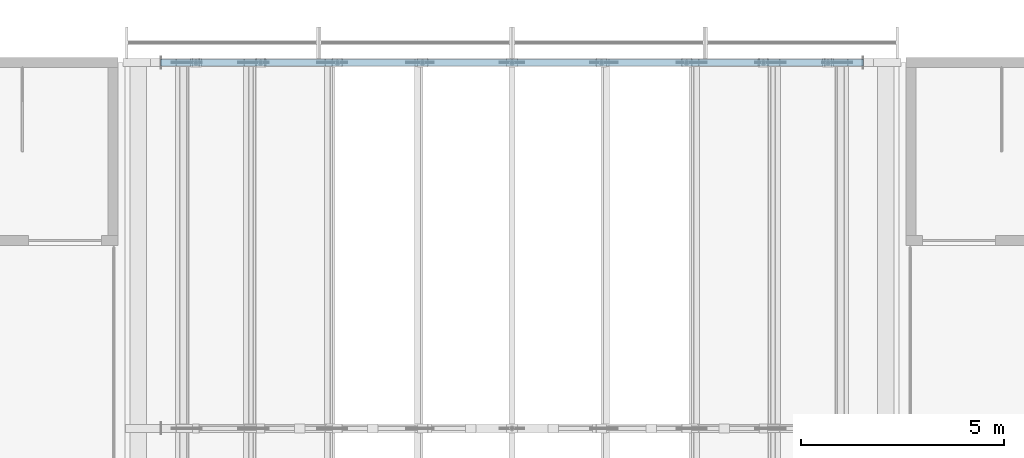
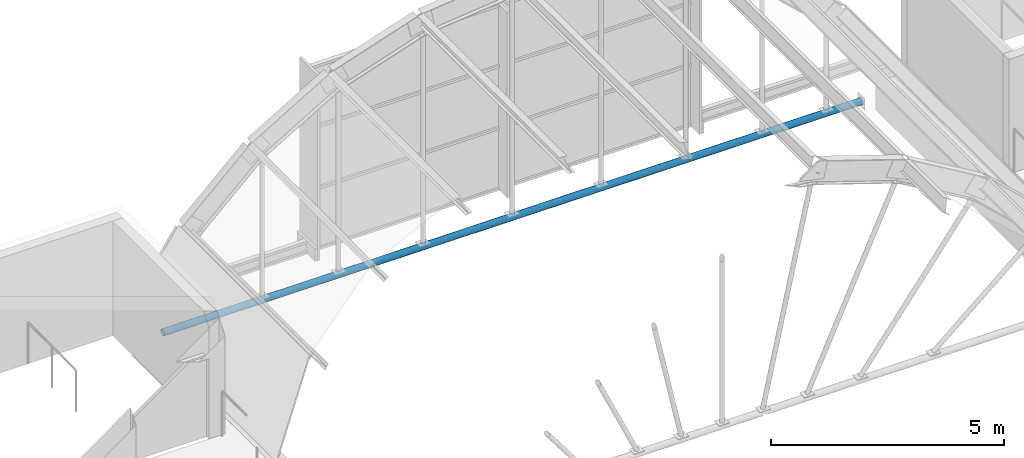
# One storey, part 29 of 79: 1 member.
"""IFC4 building model written with IfcOpenShell, lengths in metres."""

from ifc_helpers import new_model, si_unit, direction, frame, origin, origin_2d, place, context, subcontext, project, spatial, hollow_circle, extrude, material, material_profile, profile_set, type_object, element, save


model = new_model("IFC4")

# Units and contexts
model_context = context("Model", 3, precision=1e-05, world=origin(), true_north=direction((0.0, 1.0)))
body_context = subcontext(model_context, "Body", "Model", "MODEL_VIEW")
ifc_project = project(units=[si_unit("LENGTHUNIT", "METRE"), si_unit("AREAUNIT", "SQUARE_METRE"), si_unit("VOLUMEUNIT", "CUBIC_METRE"), si_unit("PLANEANGLEUNIT", "RADIAN"), si_unit("MASSUNIT", "GRAM", prefix="KILO")], contexts=[model_context])

# Site, building, storey
site_placement = place(None, origin())
site = spatial("IfcSite", under=ifc_project, at=site_placement, CompositionType="ELEMENT")
building_placement = place(site_placement, origin())
building = spatial("IfcBuilding", under=site, at=building_placement, Name="Guidao Yard Department Store", CompositionType="ELEMENT")
storey_placement = place(building_placement, frame((0.0, 0.0, 15.0)))
storey = spatial("IfcBuildingStorey", under=building, at=storey_placement, Name="L03", CompositionType="ELEMENT", Elevation=15.0)

# Member
ifc_material = material(Name="Steel Q355B", Category="steel")
ifc_material_profile = material_profile(ifc_material, hollow_circle(Radius=0.083984375, WallThickness=0.008056640625, at=origin_2d()), Name="CHS 168x8")
ifc_profile_set = profile_set([ifc_material_profile], Name="Steel Q355B")
member_type = type_object("IfcMemberType", Name="CHS 168x8", PredefinedType="BRACE", material=ifc_profile_set)
member_placement = place(storey_placement, frame((81.35009765625, 108.0, -0.449951171875), z_axis=(1.0, 0.0, 0.0), x_axis=(0.0, 1.0, 0.0)))
element("IfcMember", 1, at=member_placement, inside=storey, type_object=member_type, Name="Roof tie rod C08", PredefinedType="BRACE", context=body_context, shape_type="SweptSolid", body=[
    extrude(hollow_circle(Radius=0.083984375, WallThickness=0.008056640625, at=origin_2d()), origin(), (0.0, 0.0, 1.0), 17.2998046875),
])

save(model, "model.ifc")
